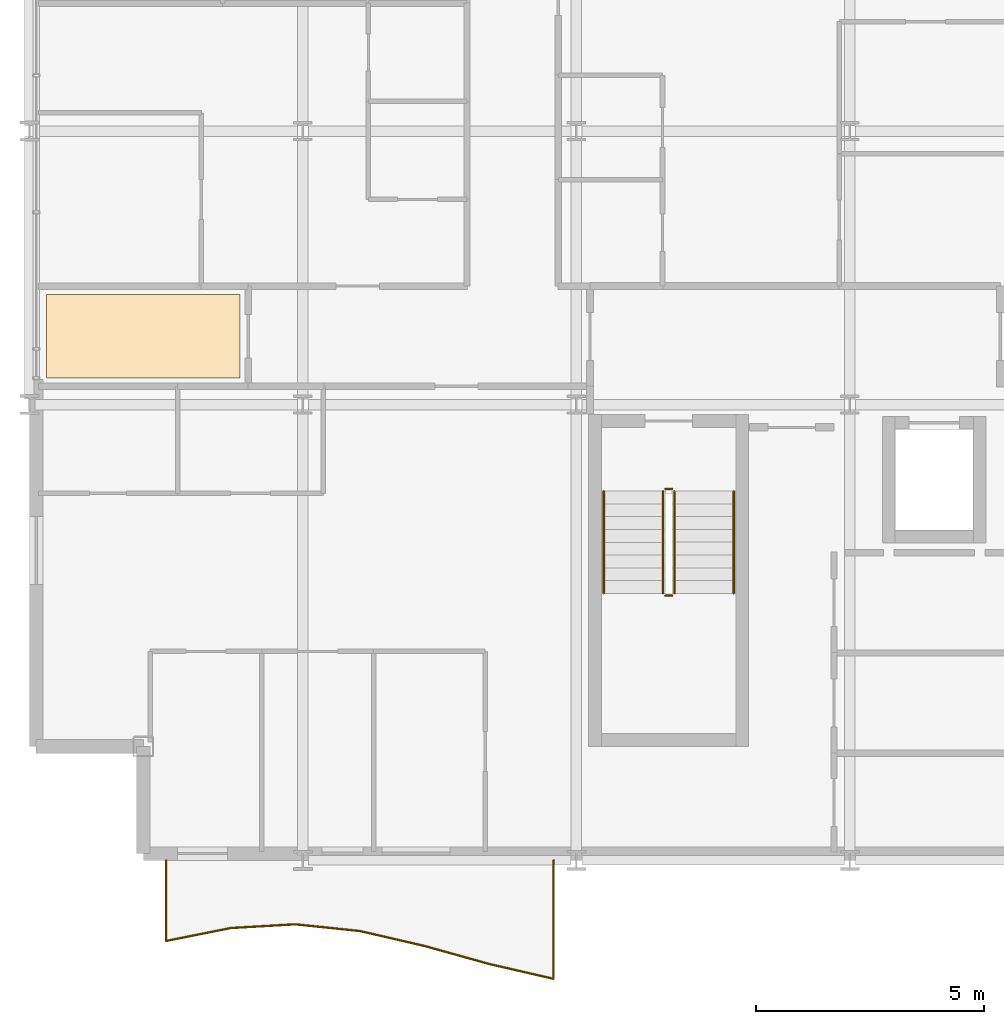
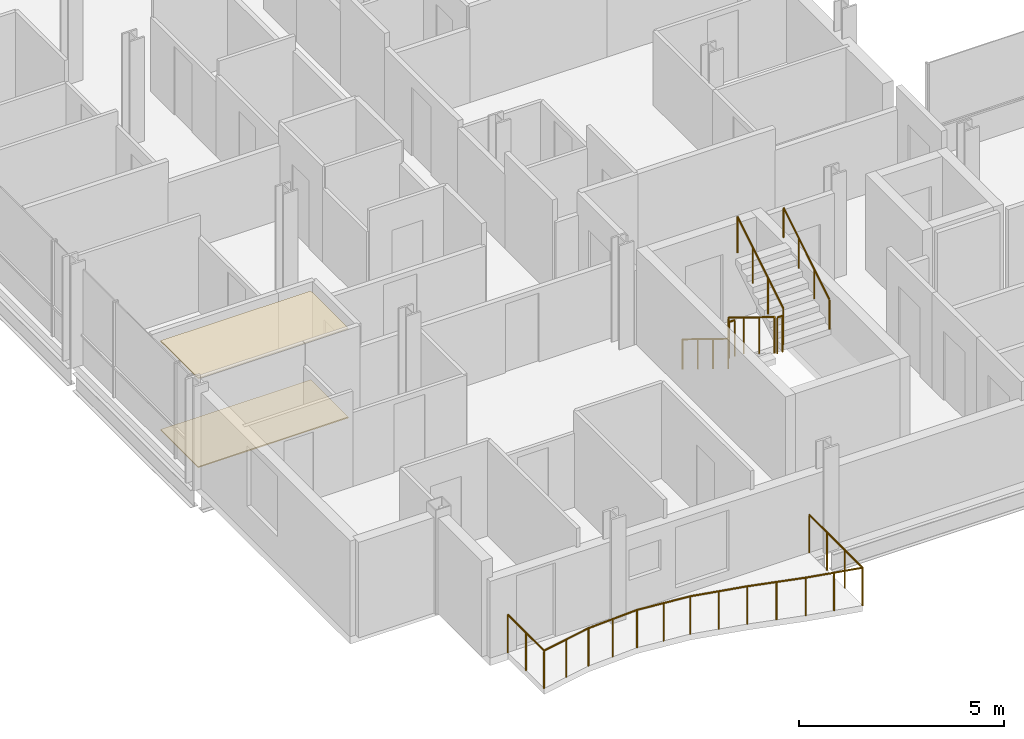
# One storey, part 37 of 40: 7 railings, 2 coverings.
"""IFC4 building model written with IfcOpenShell, lengths in metres."""

from ifc_helpers import new_model, si_unit, direction, frame, origin, origin_2d, place, context, subcontext, project, spatial, polyline, circle, outline, extrude, material, layer, layer_set, type_object, element, save


model = new_model("IFC4")

# Units and contexts
model_context = context("Model", 3, precision=1e-05, world=origin(), true_north=direction((0.0, 1.0)))
body_context = subcontext(model_context, "Body", "Model", "MODEL_VIEW")
ifc_project = project(units=[si_unit("LENGTHUNIT", "METRE"), si_unit("AREAUNIT", "SQUARE_METRE"), si_unit("VOLUMEUNIT", "CUBIC_METRE"), si_unit("PLANEANGLEUNIT", "RADIAN"), si_unit("MASSUNIT", "GRAM", prefix="KILO")], contexts=[model_context])

# Site, building, storey
site_placement = place(None, origin())
site = spatial("IfcSite", under=ifc_project, at=site_placement, CompositionType="ELEMENT")
building_placement = place(site_placement, origin())
building = spatial("IfcBuilding", under=site, at=building_placement, Name="Brevholm Reach", CompositionType="ELEMENT")
storey_placement = place(building_placement, frame((0.0, 0.0, 131.39990234375)))
storey = spatial("IfcBuildingStorey", under=building, at=storey_placement, Name="L39", CompositionType="ELEMENT", Elevation=131.39990234375)

# Coverings
ifc_material_1 = material(Name="Moisture-Resistant Skimmed Gypsum Plasterboard Ceiling", Category="gypsum")
ifc_layer_1 = layer(ifc_material_1, 0.030029296875)
ifc_layer_set_1 = layer_set([ifc_layer_1], Name="Moisture-Resistant Skimmed Gypsum Plasterboard Ceiling")
covering_type_1 = type_object("IfcCoveringType", Name="COV-CLG-GYP", PredefinedType="CEILING", material=ifc_layer_set_1)
covering_1_placement = place(storey_placement, frame((0.0, 0.0, 2.650146484375)))
element("IfcCovering", 1, at=covering_1_placement, inside=storey, type_object=covering_type_1, Name="L39 Suspended Ceiling L39-34", PredefinedType="CEILING", context=body_context, shape_type="SweptSolid", body=[
    extrude(outline(polyline([(0.3798828125, 12.419921875), (4.615966796875, 12.419921875), (4.615966796875, 10.583984375), (0.3798828125, 10.583984375), (0.3798828125, 12.419921875)])), origin(), (0.0, 0.0, 1.0), 0.030029296875),
])
ifc_material_2 = material(Name="Honed Portland-Aggregate Resin Terrazzo Flooring", Category="concrete")
ifc_layer_2 = layer(ifc_material_2, 0.031982421875)
ifc_layer_set_2 = layer_set([ifc_layer_2], Name="Honed Portland-Aggregate Resin Terrazzo Flooring")
covering_type_2 = type_object("IfcCoveringType", Name="COV-FLR-TRZ", PredefinedType="FLOORING", material=ifc_layer_set_2)
covering_2_placement = place(storey_placement, origin())
element("IfcCovering", 2, at=covering_2_placement, inside=storey, type_object=covering_type_2, Name="L39 Floor Finish L39-34", PredefinedType="FLOORING", context=body_context, shape_type="SweptSolid", body=[
    extrude(outline(polyline([(0.3798828125, 12.419921875), (4.615966796875, 12.419921875), (4.615966796875, 10.583984375), (0.3798828125, 10.583984375), (0.3798828125, 12.419921875)])), origin(), (0.0, 0.0, 1.0), 0.031982421875),
])

# Railings
ifc_material_3 = material(Name="Brushed Stainless Steel EN 1.4401 and Laminated Glass", Category="steel")
railing_type_1 = type_object("IfcRailingType", Name="RAL-BALC-1150", PredefinedType="BALUSTRADE", material=ifc_material_3)
railing_1_placement = place(storey_placement, frame((3.0, 0.0, 0.0)))
element("IfcRailing", 3, at=railing_1_placement, inside=storey, type_object=railing_type_1, Name="L39 Guard Balustrade RAL-L39-BAL-SW", PredefinedType="BALUSTRADE", context=body_context, shape_type="SweptSolid", body=[
    extrude(circle(Radius=0.02392578125, at=origin_2d()), frame((0.0, 0.0, 1.1259765625), z_axis=(0.0, -1.0, 0.0), x_axis=(1.0, 0.0, 0.0)), (0.0, 0.0, 1.0), 1.7685546875),
    extrude(circle(Radius=0.02392578125, at=origin_2d()), frame((0.0, -1.7685546875, 1.1259765625), z_axis=(0.980502614423, 0.196506038355, 0.0), x_axis=(-0.196506038355, 0.980502614423, 0.0)), (0.0, 0.0, 1.0), 1.44482421875),
    extrude(circle(Radius=0.02392578125, at=origin_2d()), frame((1.416748046875, -1.484619140625, 1.1259765625), z_axis=(0.998327360231, 0.057814200799, 0.0), x_axis=(-0.057814200799, 0.998327360231, 0.0)), (0.0, 0.0, 1.0), 1.4189453125),
    extrude(circle(Radius=0.02392578125, at=origin_2d()), frame((2.833251953125, -1.402587890625, 1.1259765625), z_axis=(0.994609205974, -0.103694394212, 0.0), x_axis=(0.103694394212, 0.994609205974, 0.0)), (0.0, 0.0, 1.0), 1.42431640625),
    extrude(circle(Radius=0.02392578125, at=origin_2d()), frame((4.25, -1.55029296875, 1.1259765625), z_axis=(0.974323236677, -0.225153792932, 0.0), x_axis=(0.225153792932, 0.974323236677, 0.0)), (0.0, 0.0, 1.0), 1.4541015625),
    extrude(circle(Radius=0.02392578125, at=origin_2d()), frame((5.666748046875, -1.877685546875, 1.1259765625), z_axis=(0.963289212232, -0.268465814578, 0.0), x_axis=(0.268465814578, 0.963289212232, 0.0)), (0.0, 0.0, 1.0), 1.470458984375),
    extrude(circle(Radius=0.02392578125, at=origin_2d()), frame((7.083251953125, -2.2724609375, 1.1259765625), z_axis=(0.974360057668, -0.224994395533, 0.0), x_axis=(0.224994395533, 0.974360057668, 0.0)), (0.0, 0.0, 1.0), 1.4541015625),
    extrude(circle(Radius=0.02392578125, at=origin_2d()), frame((8.5, -2.599609375, 1.1259765625), z_axis=(0.0, 1.0, 0.0), x_axis=(-1.0, 0.0, 0.0)), (0.0, 0.0, 1.0), 2.599609375),
    extrude(circle(Radius=0.02099609375, at=origin_2d()), origin(), (0.0, 0.0, 1.0), 1.101806640625),
    extrude(circle(Radius=0.02099609375, at=origin_2d()), frame((0.0, -0.88427734375, 0.0)), (0.0, 0.0, 1.0), 1.101806640625),
    extrude(circle(Radius=0.02099609375, at=origin_2d()), frame((0.0, -1.7685546875, 0.0)), (0.0, 0.0, 1.0), 1.101806640625),
    extrude(circle(Radius=0.02099609375, at=origin_2d()), frame((0.70849609375, -1.62646484375, 0.0)), (0.0, 0.0, 1.0), 1.101806640625),
    extrude(circle(Radius=0.02099609375, at=origin_2d()), frame((1.416748046875, -1.484619140625, 0.0)), (0.0, 0.0, 1.0), 1.101806640625),
    extrude(circle(Radius=0.02099609375, at=origin_2d()), frame((2.125, -1.443603515625, 0.0)), (0.0, 0.0, 1.0), 1.101806640625),
    extrude(circle(Radius=0.02099609375, at=origin_2d()), frame((2.833251953125, -1.402587890625, 0.0)), (0.0, 0.0, 1.0), 1.101806640625),
    extrude(circle(Radius=0.02099609375, at=origin_2d()), frame((3.54150390625, -1.4765625, 0.0)), (0.0, 0.0, 1.0), 1.101806640625),
    extrude(circle(Radius=0.02099609375, at=origin_2d()), frame((4.25, -1.55029296875, 0.0)), (0.0, 0.0, 1.0), 1.101806640625),
    extrude(circle(Radius=0.02099609375, at=origin_2d()), frame((4.95849609375, -1.7138671875, 0.0)), (0.0, 0.0, 1.0), 1.101806640625),
    extrude(circle(Radius=0.02099609375, at=origin_2d()), frame((5.666748046875, -1.877685546875, 0.0)), (0.0, 0.0, 1.0), 1.101806640625),
    extrude(circle(Radius=0.02099609375, at=origin_2d()), frame((6.375, -2.0751953125, 0.0)), (0.0, 0.0, 1.0), 1.101806640625),
    extrude(circle(Radius=0.02099609375, at=origin_2d()), frame((7.083251953125, -2.2724609375, 0.0)), (0.0, 0.0, 1.0), 1.101806640625),
    extrude(circle(Radius=0.02099609375, at=origin_2d()), frame((7.79150390625, -2.43603515625, 0.0)), (0.0, 0.0, 1.0), 1.101806640625),
    extrude(circle(Radius=0.02099609375, at=origin_2d()), frame((8.5, -2.599609375, 0.0)), (0.0, 0.0, 1.0), 1.101806640625),
    extrude(circle(Radius=0.02099609375, at=origin_2d()), frame((8.5, -1.733154296875, 0.0)), (0.0, 0.0, 1.0), 1.101806640625),
    extrude(circle(Radius=0.02099609375, at=origin_2d()), frame((8.5, -0.866455078125, 0.0)), (0.0, 0.0, 1.0), 1.101806640625),
    extrude(circle(Radius=0.02099609375, at=origin_2d()), frame((8.5, 0.0, 0.0)), (0.0, 0.0, 1.0), 1.101806640625),
])
ifc_material_4 = material(Name="Brushed Stainless Steel EN 1.4401 Continuous Handrail", Category="steel")
railing_type_2 = type_object("IfcRailingType", Name="RAL-HND-950", PredefinedType="HANDRAIL", material=ifc_material_4)
railing_2_placement = place(storey_placement, frame((12.60009765625, 8.10009765625, 0.17236328125)))
element("IfcRailing", 4, at=railing_2_placement, inside=storey, type_object=railing_type_2, Name="L39 ST-1 stair handrail 1", PredefinedType="HANDRAIL", context=body_context, shape_type="SweptSolid", body=[
    extrude(circle(Radius=0.02392578125, at=origin_2d()), frame((0.0, 0.0, 0.8857421875), z_axis=(0.0, -0.85178898068, 0.523885037382), x_axis=(1.0, 0.0, 0.0)), (0.0, 0.0, 1.0), 2.629638671875),
    extrude(circle(Radius=0.02099609375, at=origin_2d()), origin(), (0.0, 0.0, 1.0), 0.86181640625),
    extrude(circle(Radius=0.02099609375, at=origin_2d()), frame((0.0, -0.74658203125, 0.459228515625)), (0.0, 0.0, 1.0), 0.86181640625),
    extrude(circle(Radius=0.02099609375, at=origin_2d()), frame((0.0, -1.493408203125, 0.91845703125)), (0.0, 0.0, 1.0), 0.86181640625),
    extrude(circle(Radius=0.02099609375, at=origin_2d()), frame((0.0, -2.239990234375, 1.377685546875)), (0.0, 0.0, 1.0), 0.86181640625),
])
railing_3_placement = place(storey_placement, frame((15.449951171875, 5.860107421875, 1.722412109375)))
element("IfcRailing", 5, at=railing_3_placement, inside=storey, type_object=railing_type_2, Name="L39 ST-1 stair handrail 2", PredefinedType="HANDRAIL", context=body_context, shape_type="SweptSolid", body=[
    extrude(circle(Radius=0.02392578125, at=origin_2d()), frame((0.0, 0.0, 0.8857421875), z_axis=(0.0, 0.85178898068, 0.523885037382), x_axis=(-1.0, 0.0, 0.0)), (0.0, 0.0, 1.0), 2.629638671875),
    extrude(circle(Radius=0.02099609375, at=origin_2d()), origin(), (0.0, 0.0, 1.0), 0.86181640625),
    extrude(circle(Radius=0.02099609375, at=origin_2d()), frame((0.0, 0.74658203125, 0.459228515625)), (0.0, 0.0, 1.0), 0.86181640625),
    extrude(circle(Radius=0.02099609375, at=origin_2d()), frame((0.0, 1.493408203125, 0.91845703125)), (0.0, 0.0, 1.0), 0.86181640625),
    extrude(circle(Radius=0.02099609375, at=origin_2d()), frame((0.0, 2.239990234375, 1.377685546875)), (0.0, 0.0, 1.0), 0.86181640625),
])
ifc_material_5 = material(Name="Painted Tubular Galvanised Steel S275JR Stair Guard", Category="steel")
railing_type_3 = type_object("IfcRailingType", Name="RAL-STG-1120", PredefinedType="BALUSTRADE", material=ifc_material_5)
railing_4_placement = place(storey_placement, frame((13.89990234375, 8.10009765625, 0.17236328125)))
element("IfcRailing", 6, at=railing_4_placement, inside=storey, type_object=railing_type_3, Name="L39 ST-1 stair guard 1", PredefinedType="BALUSTRADE", context=body_context, shape_type="SweptSolid", body=[
    extrude(circle(Radius=0.02392578125, at=origin_2d()), frame((0.0, 0.0, 1.076171875), z_axis=(0.0, -0.85178898068, 0.523885037382), x_axis=(1.0, 0.0, 0.0)), (0.0, 0.0, 1.0), 2.629638671875),
    extrude(circle(Radius=0.02099609375, at=origin_2d()), origin(), (0.0, 0.0, 1.0), 1.052001953125),
    extrude(circle(Radius=0.02099609375, at=origin_2d()), frame((0.0, -0.74658203125, 0.459228515625)), (0.0, 0.0, 1.0), 1.052001953125),
    extrude(circle(Radius=0.02099609375, at=origin_2d()), frame((0.0, -1.493408203125, 0.91845703125)), (0.0, 0.0, 1.0), 1.052001953125),
    extrude(circle(Radius=0.02099609375, at=origin_2d()), frame((0.0, -2.239990234375, 1.377685546875)), (0.0, 0.0, 1.0), 1.052001953125),
])
railing_5_placement = place(storey_placement, frame((13.949951171875, 5.81005859375, 1.550048828125)))
element("IfcRailing", 7, at=railing_5_placement, inside=storey, type_object=railing_type_3, Name="L39 ST-1 stair guard 2", PredefinedType="BALUSTRADE", context=body_context, shape_type="SweptSolid", body=[
    extrude(circle(Radius=0.02392578125, at=origin_2d()), frame((0.0, 0.0, 1.076171875), z_axis=(1.0, 0.0, 0.0), x_axis=(0.0, 1.0, 0.0)), (0.0, 0.0, 1.0), 0.150146484375),
    extrude(circle(Radius=0.02099609375, at=origin_2d()), origin(), (0.0, 0.0, 1.0), 1.052001953125),
    extrude(circle(Radius=0.02099609375, at=origin_2d()), frame((0.150146484375, 0.0, 0.0)), (0.0, 0.0, 1.0), 1.052001953125),
])
railing_6_placement = place(storey_placement, frame((14.14990234375, 5.860107421875, 1.722412109375)))
element("IfcRailing", 8, at=railing_6_placement, inside=storey, type_object=railing_type_3, Name="L39 ST-1 stair guard 3", PredefinedType="BALUSTRADE", context=body_context, shape_type="SweptSolid", body=[
    extrude(circle(Radius=0.02392578125, at=origin_2d()), frame((0.0, 0.0, 1.076171875), z_axis=(0.0, 0.85178898068, 0.523885037382), x_axis=(-1.0, 0.0, 0.0)), (0.0, 0.0, 1.0), 2.629638671875),
    extrude(circle(Radius=0.02099609375, at=origin_2d()), origin(), (0.0, 0.0, 1.0), 1.052001953125),
    extrude(circle(Radius=0.02099609375, at=origin_2d()), frame((0.0, 0.74658203125, 0.459228515625)), (0.0, 0.0, 1.0), 1.052001953125),
    extrude(circle(Radius=0.02099609375, at=origin_2d()), frame((0.0, 1.493408203125, 0.91845703125)), (0.0, 0.0, 1.0), 1.052001953125),
    extrude(circle(Radius=0.02099609375, at=origin_2d()), frame((0.0, 2.239990234375, 1.377685546875)), (0.0, 0.0, 1.0), 1.052001953125),
])
railing_7_placement = place(storey_placement, frame((13.949951171875, 8.14990234375, 0.0)))
element("IfcRailing", 9, at=railing_7_placement, inside=storey, type_object=railing_type_3, Name="L39 ST-1 stair guard 4", PredefinedType="BALUSTRADE", context=body_context, shape_type="SweptSolid", body=[
    extrude(circle(Radius=0.02392578125, at=origin_2d()), frame((0.0, 0.0, 1.076171875), z_axis=(1.0, 0.0, 0.0), x_axis=(0.0, 1.0, 0.0)), (0.0, 0.0, 1.0), 0.150146484375),
    extrude(circle(Radius=0.02099609375, at=origin_2d()), origin(), (0.0, 0.0, 1.0), 1.052001953125),
    extrude(circle(Radius=0.02099609375, at=origin_2d()), frame((0.150146484375, 0.0, 0.0)), (0.0, 0.0, 1.0), 1.052001953125),
])

save(model, "model.ifc")
